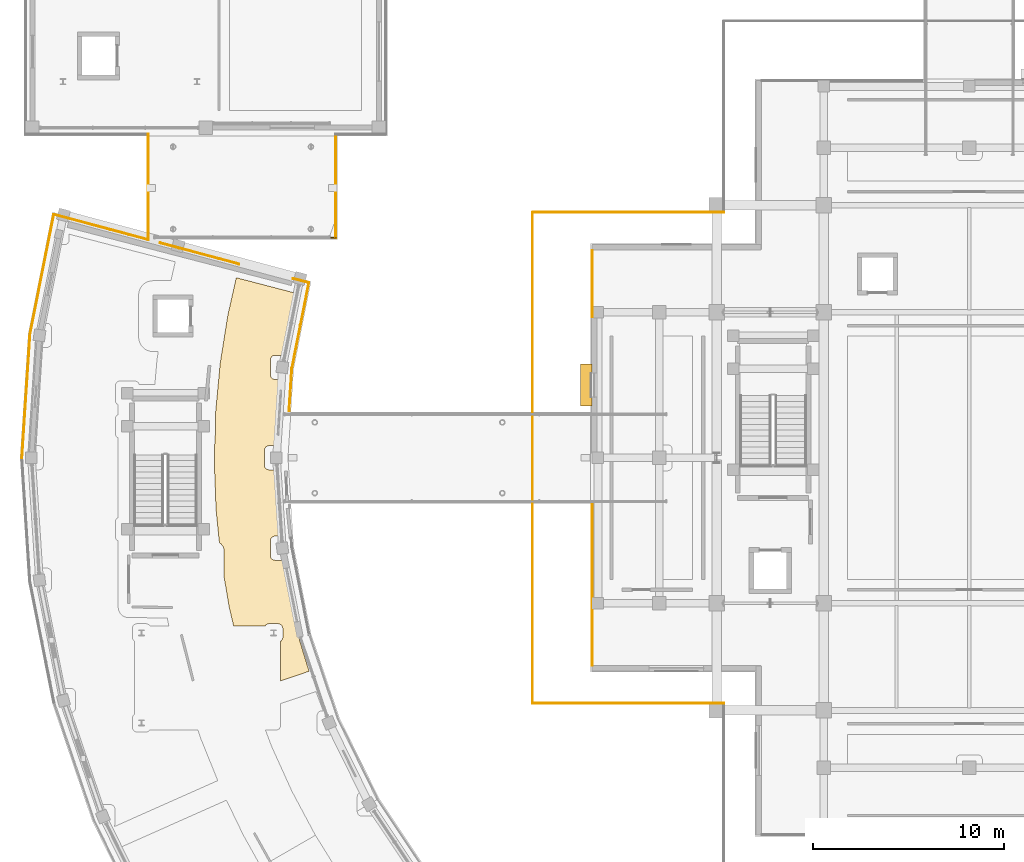
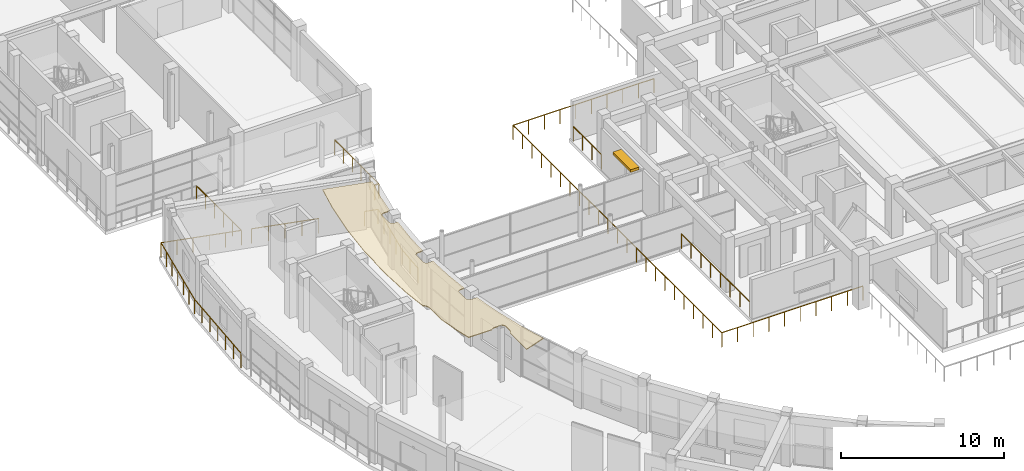
# One storey, part 61 of 72: 15 railings, 1 covering, 1 shading device.
"""IFC4 building model written with IfcOpenShell, lengths in metres."""

from ifc_helpers import new_model, si_unit, direction, frame, origin, origin_2d, place, context, subcontext, project, spatial, polyline, rectangle, outline, extrude, material, layer, layer_set, type_object, element, save


model = new_model("IFC4")

# Units and contexts
model_context = context("Model", 3, precision=1e-05, world=origin(), true_north=direction((0.0, 1.0)))
body_context = subcontext(model_context, "Body", "Model", "MODEL_VIEW")
ifc_project = project(units=[si_unit("LENGTHUNIT", "METRE"), si_unit("AREAUNIT", "SQUARE_METRE"), si_unit("VOLUMEUNIT", "CUBIC_METRE"), si_unit("PLANEANGLEUNIT", "RADIAN"), si_unit("MASSUNIT", "GRAM", prefix="KILO")], contexts=[model_context])

# Site, building, storey
site_placement = place(None, origin())
site = spatial("IfcSite", under=ifc_project, at=site_placement, CompositionType="ELEMENT")
building_placement = place(site_placement, origin())
building = spatial("IfcBuilding", under=site, at=building_placement, Name="Saryqyr Civic Hall", CompositionType="ELEMENT")
storey_placement = place(building_placement, frame((0.0, 0.0, 17.25)))
storey = spatial("IfcBuildingStorey", under=building, at=storey_placement, Name="L04", CompositionType="ELEMENT", Elevation=17.25)

# Railings
ifc_material_1 = material(Name="Stainless steel and laminated glass", Category="steel")
ifc_layer_1 = layer(ifc_material_1, 0.06005859375, Name="Stainless steel and laminated glass")
ifc_layer_set_1 = layer_set([ifc_layer_1], Name="Stainless steel and laminated glass")
railing_type_1 = type_object("IfcRailingType", Name="ENV-RLG-BAL-1100", PredefinedType="BALUSTRADE", material=ifc_layer_set_1)
railing_1_placement = place(storey_placement, frame((44.179931640625, 96.820068359375, 0.0)))
element("IfcRailing", 1, at=railing_1_placement, inside=storey, type_object=railing_type_1, Name="Perimeter safety balustrade V1-STEPG-L04-G09", PredefinedType="BALUSTRADE", context=body_context, shape_type="SweptSolid", body=[
    extrude(rectangle(XDim=0.048095703125, YDim=0.048095703125, at=origin_2d()), frame((0.0, 0.0, 1.076171875), z_axis=(-1.0, 0.0, 0.0), x_axis=(0.0, -1.0, 0.0)), (0.0, 0.0, 1.0), 10.0),
    extrude(rectangle(XDim=0.0419921875, YDim=0.0419921875, at=origin_2d()), origin(), (0.0, 0.0, 1.0), 1.052001953125),
    extrude(rectangle(XDim=0.0419921875, YDim=0.0419921875, at=origin_2d()), frame((-1.111083984375, 0.0, 0.0)), (0.0, 0.0, 1.0), 1.052001953125),
    extrude(rectangle(XDim=0.0419921875, YDim=0.0419921875, at=origin_2d()), frame((-2.22216796875, 0.0, 0.0)), (0.0, 0.0, 1.0), 1.052001953125),
    extrude(rectangle(XDim=0.0419921875, YDim=0.0419921875, at=origin_2d()), frame((-3.333251953125, 0.0, 0.0)), (0.0, 0.0, 1.0), 1.052001953125),
    extrude(rectangle(XDim=0.0419921875, YDim=0.0419921875, at=origin_2d()), frame((-4.4443359375, 0.0, 0.0)), (0.0, 0.0, 1.0), 1.052001953125),
    extrude(rectangle(XDim=0.0419921875, YDim=0.0419921875, at=origin_2d()), frame((-5.5556640625, 0.0, 0.0)), (0.0, 0.0, 1.0), 1.052001953125),
    extrude(rectangle(XDim=0.0419921875, YDim=0.0419921875, at=origin_2d()), frame((-6.666748046875, 0.0, 0.0)), (0.0, 0.0, 1.0), 1.052001953125),
    extrude(rectangle(XDim=0.0419921875, YDim=0.0419921875, at=origin_2d()), frame((-7.77783203125, 0.0, 0.0)), (0.0, 0.0, 1.0), 1.052001953125),
    extrude(rectangle(XDim=0.0419921875, YDim=0.0419921875, at=origin_2d()), frame((-8.888916015625, 0.0, 0.0)), (0.0, 0.0, 1.0), 1.052001953125),
    extrude(rectangle(XDim=0.0419921875, YDim=0.0419921875, at=origin_2d()), frame((-10.0, 0.0, 0.0)), (0.0, 0.0, 1.0), 1.052001953125),
])
railing_2_placement = place(storey_placement, frame((34.179931640625, 96.820068359375, 0.0)))
element("IfcRailing", 2, at=railing_2_placement, inside=storey, type_object=railing_type_1, Name="Perimeter safety balustrade V1-STEPG-L04-G10", PredefinedType="BALUSTRADE", context=body_context, shape_type="SweptSolid", body=[
    extrude(rectangle(XDim=0.048095703125, YDim=0.048095703125, at=origin_2d()), frame((0.0, 0.0, 1.076171875), z_axis=(0.0, -1.0, 0.0), x_axis=(1.0, 0.0, 0.0)), (0.0, 0.0, 1.0), 25.64013671875),
    extrude(rectangle(XDim=0.0419921875, YDim=0.0419921875, at=origin_2d()), origin(), (0.0, 0.0, 1.0), 1.052001953125),
    extrude(rectangle(XDim=0.0419921875, YDim=0.0419921875, at=origin_2d()), frame((0.0, -1.16552734375, 0.0)), (0.0, 0.0, 1.0), 1.052001953125),
    extrude(rectangle(XDim=0.0419921875, YDim=0.0419921875, at=origin_2d()), frame((0.0, -2.330810546875, 0.0)), (0.0, 0.0, 1.0), 1.052001953125),
    extrude(rectangle(XDim=0.0419921875, YDim=0.0419921875, at=origin_2d()), frame((0.0, -3.496337890625, 0.0)), (0.0, 0.0, 1.0), 1.052001953125),
    extrude(rectangle(XDim=0.0419921875, YDim=0.0419921875, at=origin_2d()), frame((0.0, -4.661865234375, 0.0)), (0.0, 0.0, 1.0), 1.052001953125),
    extrude(rectangle(XDim=0.0419921875, YDim=0.0419921875, at=origin_2d()), frame((0.0, -5.827392578125, 0.0)), (0.0, 0.0, 1.0), 1.052001953125),
    extrude(rectangle(XDim=0.0419921875, YDim=0.0419921875, at=origin_2d()), frame((0.0, -6.99267578125, 0.0)), (0.0, 0.0, 1.0), 1.052001953125),
    extrude(rectangle(XDim=0.0419921875, YDim=0.0419921875, at=origin_2d()), frame((0.0, -8.158203125, 0.0)), (0.0, 0.0, 1.0), 1.052001953125),
    extrude(rectangle(XDim=0.0419921875, YDim=0.0419921875, at=origin_2d()), frame((0.0, -9.32373046875, 0.0)), (0.0, 0.0, 1.0), 1.052001953125),
    extrude(rectangle(XDim=0.0419921875, YDim=0.0419921875, at=origin_2d()), frame((0.0, -10.4892578125, 0.0)), (0.0, 0.0, 1.0), 1.052001953125),
    extrude(rectangle(XDim=0.0419921875, YDim=0.0419921875, at=origin_2d()), frame((0.0, -11.654541015625, 0.0)), (0.0, 0.0, 1.0), 1.052001953125),
    extrude(rectangle(XDim=0.0419921875, YDim=0.0419921875, at=origin_2d()), frame((0.0, -12.820068359375, 0.0)), (0.0, 0.0, 1.0), 1.052001953125),
    extrude(rectangle(XDim=0.0419921875, YDim=0.0419921875, at=origin_2d()), frame((0.0, -13.985595703125, 0.0)), (0.0, 0.0, 1.0), 1.052001953125),
    extrude(rectangle(XDim=0.0419921875, YDim=0.0419921875, at=origin_2d()), frame((0.0, -15.15087890625, 0.0)), (0.0, 0.0, 1.0), 1.052001953125),
    extrude(rectangle(XDim=0.0419921875, YDim=0.0419921875, at=origin_2d()), frame((0.0, -16.31640625, 0.0)), (0.0, 0.0, 1.0), 1.052001953125),
    extrude(rectangle(XDim=0.0419921875, YDim=0.0419921875, at=origin_2d()), frame((0.0, -17.48193359375, 0.0)), (0.0, 0.0, 1.0), 1.052001953125),
    extrude(rectangle(XDim=0.0419921875, YDim=0.0419921875, at=origin_2d()), frame((0.0, -18.6474609375, 0.0)), (0.0, 0.0, 1.0), 1.052001953125),
    extrude(rectangle(XDim=0.0419921875, YDim=0.0419921875, at=origin_2d()), frame((0.0, -19.812744140625, 0.0)), (0.0, 0.0, 1.0), 1.052001953125),
    extrude(rectangle(XDim=0.0419921875, YDim=0.0419921875, at=origin_2d()), frame((0.0, -20.978271484375, 0.0)), (0.0, 0.0, 1.0), 1.052001953125),
    extrude(rectangle(XDim=0.0419921875, YDim=0.0419921875, at=origin_2d()), frame((0.0, -22.143798828125, 0.0)), (0.0, 0.0, 1.0), 1.052001953125),
    extrude(rectangle(XDim=0.0419921875, YDim=0.0419921875, at=origin_2d()), frame((0.0, -23.309326171875, 0.0)), (0.0, 0.0, 1.0), 1.052001953125),
    extrude(rectangle(XDim=0.0419921875, YDim=0.0419921875, at=origin_2d()), frame((0.0, -24.474609375, 0.0)), (0.0, 0.0, 1.0), 1.052001953125),
    extrude(rectangle(XDim=0.0419921875, YDim=0.0419921875, at=origin_2d()), frame((0.0, -25.64013671875, 0.0)), (0.0, 0.0, 1.0), 1.052001953125),
])
railing_3_placement = place(storey_placement, frame((34.179931640625, 71.179931640625, 0.0)))
element("IfcRailing", 3, at=railing_3_placement, inside=storey, type_object=railing_type_1, Name="Perimeter safety balustrade V1-STEPG-L04-G11", PredefinedType="BALUSTRADE", context=body_context, shape_type="SweptSolid", body=[
    extrude(rectangle(XDim=0.048095703125, YDim=0.048095703125, at=origin_2d()), frame((0.0, 0.0, 1.076171875), z_axis=(1.0, 0.0, 0.0), x_axis=(0.0, 1.0, 0.0)), (0.0, 0.0, 1.0), 10.0),
    extrude(rectangle(XDim=0.0419921875, YDim=0.0419921875, at=origin_2d()), origin(), (0.0, 0.0, 1.0), 1.052001953125),
    extrude(rectangle(XDim=0.0419921875, YDim=0.0419921875, at=origin_2d()), frame((1.111083984375, 0.0, 0.0)), (0.0, 0.0, 1.0), 1.052001953125),
    extrude(rectangle(XDim=0.0419921875, YDim=0.0419921875, at=origin_2d()), frame((2.22216796875, 0.0, 0.0)), (0.0, 0.0, 1.0), 1.052001953125),
    extrude(rectangle(XDim=0.0419921875, YDim=0.0419921875, at=origin_2d()), frame((3.333251953125, 0.0, 0.0)), (0.0, 0.0, 1.0), 1.052001953125),
    extrude(rectangle(XDim=0.0419921875, YDim=0.0419921875, at=origin_2d()), frame((4.4443359375, 0.0, 0.0)), (0.0, 0.0, 1.0), 1.052001953125),
    extrude(rectangle(XDim=0.0419921875, YDim=0.0419921875, at=origin_2d()), frame((5.5556640625, 0.0, 0.0)), (0.0, 0.0, 1.0), 1.052001953125),
    extrude(rectangle(XDim=0.0419921875, YDim=0.0419921875, at=origin_2d()), frame((6.666748046875, 0.0, 0.0)), (0.0, 0.0, 1.0), 1.052001953125),
    extrude(rectangle(XDim=0.0419921875, YDim=0.0419921875, at=origin_2d()), frame((7.77783203125, 0.0, 0.0)), (0.0, 0.0, 1.0), 1.052001953125),
    extrude(rectangle(XDim=0.0419921875, YDim=0.0419921875, at=origin_2d()), frame((8.888916015625, 0.0, 0.0)), (0.0, 0.0, 1.0), 1.052001953125),
    extrude(rectangle(XDim=0.0419921875, YDim=0.0419921875, at=origin_2d()), frame((10.0, 0.0, 0.0)), (0.0, 0.0, 1.0), 1.052001953125),
])

# Shading device
ifc_material_2 = material(Name="Warm brushed brass-anodised aluminium", Category="aluminium")
shading_device_type = type_object("IfcShadingDeviceType", Name="ENV-SHD-LOUVRE", PredefinedType="JALOUSIE", material=ifc_material_2)
shading_device_placement = place(storey_placement, frame((36.97509765625, 87.800048828125, 2.80517578125), z_axis=(0.0, 0.0, 1.0), x_axis=(0.0, 1.0, 0.0)))
element("IfcShadingDevice", 4, at=shading_device_placement, inside=storey, type_object=shading_device_type, Name="Warm brass exterior louvre hood L04-02", PredefinedType="JALOUSIE", context=body_context, shape_type="SweptSolid", body=[
    extrude(rectangle(XDim=2.199951171875, YDim=0.60009765625, at=origin_2d()), origin(), (0.0, 0.0, 1.0), 0.199951171875),
])

# Covering
ifc_material_3 = material(Name="Mineral-fibre acoustic ceiling tile", Category="acoustic_tile")
ifc_layer_2 = layer(ifc_material_3, 0.06005859375, Name="Mineral-fibre acoustic ceiling tile")
ifc_layer_set_2 = layer_set([ifc_layer_2], Name="Mineral-fibre acoustic ceiling tile")
covering_type = type_object("IfcCoveringType", Name="INT-COV-CEIL-60", PredefinedType="CEILING", material=ifc_layer_set_2)
covering_placement = place(storey_placement, frame((0.0, 0.0, 3.699951171875)))
element("IfcCovering", 5, at=covering_placement, inside=storey, type_object=covering_type, Name="Acoustic ceiling Occupational Health & Welfare Clinic", PredefinedType="CEILING", context=body_context, shape_type="SweptSolid", body=[
    extrude(outline(polyline([(17.587646484375, 85.1474609375), (17.590576171875, 85.152099609375), (17.60107421875, 85.17431640625), (17.609130859375, 85.197509765625), (17.615234375, 85.22119140625), (17.618896484375, 85.24560546875), (17.6201171875, 85.27001953125), (17.6201171875, 86.030029296875), (17.618896484375, 86.054443359375), (17.615234375, 86.078857421875), (17.614013671875, 86.08349609375), (17.62255859375, 86.3876953125), (17.859619140625, 88.9306640625), (18.2607421875, 91.452880859375), (18.70263671875, 93.407470703125), (21.779541015625, 92.60595703125), (21.38671875, 90.86962890625), (21.380126953125, 90.834716796875), (21.144775390625, 89.35498046875), (20.729736328125, 89.35498046875), (20.705078125, 89.353759765625), (20.680908203125, 89.35009765625), (20.656982421875, 89.34423828125), (20.634033203125, 89.3359375), (20.61181640625, 89.325439453125), (20.5908203125, 89.31298828125), (20.571044921875, 89.29833984375), (20.552978515625, 89.28173828125), (20.536376953125, 89.263671875), (20.521728515625, 89.243896484375), (20.50927734375, 89.222900390625), (20.498779296875, 89.20068359375), (20.490478515625, 89.177490234375), (20.484619140625, 89.15380859375), (20.48095703125, 89.12939453125), (20.479736328125, 89.10498046875), (20.479736328125, 88.344970703125), (20.48095703125, 88.320556640625), (20.484619140625, 88.296142578125), (20.490478515625, 88.2724609375), (20.498779296875, 88.249267578125), (20.50927734375, 88.227294921875), (20.521728515625, 88.2060546875), (20.536376953125, 88.186279296875), (20.552978515625, 88.168212890625), (20.571044921875, 88.151611328125), (20.5908203125, 88.13720703125), (20.61181640625, 88.12451171875), (20.634033203125, 88.114013671875), (20.656982421875, 88.105712890625), (20.680908203125, 88.099853515625), (20.705078125, 88.09619140625), (20.729736328125, 88.094970703125), (20.973388671875, 88.094970703125), (20.7978515625, 86.212890625), (20.795654296875, 86.177490234375), (20.752197265625, 84.6298828125), (20.419921875, 84.6298828125), (20.3955078125, 84.62890625), (20.37109375, 84.625244140625), (20.347412109375, 84.619140625), (20.32421875, 84.611083984375), (20.30224609375, 84.6005859375), (20.281005859375, 84.587890625), (20.261474609375, 84.5732421875), (20.2431640625, 84.556884765625), (20.226806640625, 84.53857421875), (20.212158203125, 84.518798828125), (20.199462890625, 84.497802734375), (20.18896484375, 84.4755859375), (20.180908203125, 84.45263671875), (20.1748046875, 84.4287109375), (20.171142578125, 84.404541015625), (20.169921875, 84.3798828125), (20.169921875, 83.6201171875), (20.171142578125, 83.595458984375), (20.1748046875, 83.5712890625), (20.180908203125, 83.54736328125), (20.18896484375, 83.5244140625), (20.199462890625, 83.502197265625), (20.212158203125, 83.481201171875), (20.226806640625, 83.46142578125), (20.2431640625, 83.443115234375), (20.261474609375, 83.4267578125), (20.281005859375, 83.412109375), (20.30224609375, 83.3994140625), (20.32421875, 83.388916015625), (20.347412109375, 83.380859375), (20.37109375, 83.374755859375), (20.3955078125, 83.37109375), (20.419921875, 83.3701171875), (20.74755859375, 83.3701171875), (20.815185546875, 81.519287109375), (20.817626953125, 81.48388671875), (20.978271484375, 79.905029296875), (20.729736328125, 79.905029296875), (20.705078125, 79.90380859375), (20.680908203125, 79.900146484375), (20.656982421875, 79.894287109375), (20.634033203125, 79.885986328125), (20.61181640625, 79.87548828125), (20.5908203125, 79.86279296875), (20.571044921875, 79.848388671875), (20.552978515625, 79.831787109375), (20.536376953125, 79.813720703125), (20.521728515625, 79.7939453125), (20.50927734375, 79.772705078125), (20.498779296875, 79.750732421875), (20.490478515625, 79.7275390625), (20.484619140625, 79.703857421875), (20.48095703125, 79.679443359375), (20.479736328125, 79.655029296875), (20.479736328125, 78.89501953125), (20.48095703125, 78.87060546875), (20.484619140625, 78.84619140625), (20.490478515625, 78.822509765625), (20.498779296875, 78.79931640625), (20.50927734375, 78.777099609375), (20.521728515625, 78.756103515625), (20.536376953125, 78.736328125), (20.552978515625, 78.71826171875), (20.571044921875, 78.70166015625), (20.5908203125, 78.68701171875), (20.61181640625, 78.674560546875), (20.634033203125, 78.6640625), (20.656982421875, 78.65576171875), (20.680908203125, 78.64990234375), (20.705078125, 78.646240234375), (20.729736328125, 78.64501953125), (21.140380859375, 78.64501953125), (21.438720703125, 76.8671875), (21.445556640625, 76.832275390625), (21.974609375, 74.5810546875), (21.98388671875, 74.546630859375), (22.50244140625, 72.84375), (21.00732421875, 72.335205078125), (21.01025390625, 74.406982421875), (21.018798828125, 74.412109375), (21.03857421875, 74.4267578125), (21.056884765625, 74.443115234375), (21.0732421875, 74.46142578125), (21.087890625, 74.481201171875), (21.1005859375, 74.502197265625), (21.111083984375, 74.5244140625), (21.119140625, 74.54736328125), (21.125244140625, 74.5712890625), (21.12890625, 74.595458984375), (21.1298828125, 74.6201171875), (21.1298828125, 75.080078125), (21.12890625, 75.1044921875), (21.125244140625, 75.12890625), (21.119140625, 75.152587890625), (21.111083984375, 75.17578125), (21.1005859375, 75.19775390625), (21.087890625, 75.218994140625), (21.0732421875, 75.238525390625), (21.056884765625, 75.2568359375), (21.03857421875, 75.273193359375), (21.018798828125, 75.287841796875), (20.997802734375, 75.300537109375), (20.9755859375, 75.31103515625), (20.95263671875, 75.319091796875), (20.9287109375, 75.3251953125), (20.904541015625, 75.328857421875), (20.8798828125, 75.330078125), (20.419921875, 75.330078125), (20.3955078125, 75.328857421875), (20.37109375, 75.3251953125), (20.347412109375, 75.319091796875), (20.32421875, 75.31103515625), (20.30224609375, 75.300537109375), (20.281005859375, 75.287841796875), (20.261474609375, 75.273193359375), (20.2431640625, 75.2568359375), (20.226806640625, 75.238525390625), (20.212158203125, 75.218994140625), (20.21044921875, 75.216064453125), (18.561279296875, 75.21484375), (18.324462890625, 76.22265625), (18.070068359375, 77.740966796875), (18.06982421875, 79.10205078125), (18.067138671875, 79.15625), (18.05908203125, 79.210205078125), (18.0458984375, 79.262939453125), (18.02734375, 79.314208984375), (18.00390625, 79.36328125), (17.9755859375, 79.40966796875), (17.943115234375, 79.453369140625), (17.90625, 79.493408203125), (17.86572265625, 79.529541015625), (17.82177734375, 79.561767578125), (17.818603515625, 79.5634765625), (17.64404296875, 81.282470703125), (17.55078125, 83.834716796875), (17.587646484375, 85.1474609375)])), origin(), (0.0, 0.0, 1.0), 0.06005859375),
])

# Railings
ifc_material_4 = material(Name="Warm brushed brass and laminated glass", Category="glass")
ifc_layer_3 = layer(ifc_material_4, 0.06005859375, Name="Warm brushed brass and laminated glass")
ifc_layer_set_3 = layer_set([ifc_layer_3], Name="Warm brushed brass and laminated glass")
railing_type_2 = type_object("IfcRailingType", Name="INT-RLG-BAL-1100", PredefinedType="BALUSTRADE", material=ifc_layer_set_3)
railing_4_placement = place(storey_placement, frame((7.500244140625, 84.0, 0.0)))
element("IfcRailing", 6, at=railing_4_placement, inside=storey, type_object=railing_type_2, Name="Interior deck safety balustrade L04-011", PredefinedType="BALUSTRADE", context=body_context, shape_type="SweptSolid", body=[
    extrude(rectangle(XDim=0.048095703125, YDim=0.048095703125, at=origin_2d()), frame((0.0, 0.0, 1.09619140625), z_axis=(0.0653827723, 0.997860257294, 0.0), x_axis=(-0.997860257294, 0.0653827723, 0.0)), (0.0, 0.0, 1.0), 6.474853515625),
    extrude(rectangle(XDim=0.0419921875, YDim=0.0419921875, at=origin_2d()), origin(), (0.0, 0.0, 1.0), 1.072021484375),
    extrude(rectangle(XDim=0.0419921875, YDim=0.0419921875, at=origin_2d()), frame((0.070556640625, 1.076904296875, 0.0)), (0.0, 0.0, 1.0), 1.072021484375),
    extrude(rectangle(XDim=0.0419921875, YDim=0.0419921875, at=origin_2d()), frame((0.14111328125, 2.153564453125, 0.0)), (0.0, 0.0, 1.0), 1.072021484375),
    extrude(rectangle(XDim=0.0419921875, YDim=0.0419921875, at=origin_2d()), frame((0.211669921875, 3.23046875, 0.0)), (0.0, 0.0, 1.0), 1.072021484375),
    extrude(rectangle(XDim=0.0419921875, YDim=0.0419921875, at=origin_2d()), frame((0.2822265625, 4.307373046875, 0.0)), (0.0, 0.0, 1.0), 1.072021484375),
    extrude(rectangle(XDim=0.0419921875, YDim=0.0419921875, at=origin_2d()), frame((0.352783203125, 5.384033203125, 0.0)), (0.0, 0.0, 1.0), 1.072021484375),
    extrude(rectangle(XDim=0.0419921875, YDim=0.0419921875, at=origin_2d()), frame((0.42333984375, 6.4609375, 0.0)), (0.0, 0.0, 1.0), 1.072021484375),
])
railing_5_placement = place(storey_placement, frame((7.923583984375, 90.4609375, 0.0)))
element("IfcRailing", 7, at=railing_5_placement, inside=storey, type_object=railing_type_2, Name="Interior deck safety balustrade L04-012", PredefinedType="BALUSTRADE", context=body_context, shape_type="SweptSolid", body=[
    extrude(rectangle(XDim=0.048095703125, YDim=0.048095703125, at=origin_2d()), frame((0.0, 0.0, 1.09619140625), z_axis=(0.195092281348, 0.980784890666, 0.0), x_axis=(-0.980784890666, 0.195092281348, 0.0)), (0.0, 0.0, 1.0), 6.374755859375),
    extrude(rectangle(XDim=0.0419921875, YDim=0.0419921875, at=origin_2d()), origin(), (0.0, 0.0, 1.0), 1.072021484375),
    extrude(rectangle(XDim=0.0419921875, YDim=0.0419921875, at=origin_2d()), frame((0.207275390625, 1.0419921875, 0.0)), (0.0, 0.0, 1.0), 1.072021484375),
    extrude(rectangle(XDim=0.0419921875, YDim=0.0419921875, at=origin_2d()), frame((0.41455078125, 2.083984375, 0.0)), (0.0, 0.0, 1.0), 1.072021484375),
    extrude(rectangle(XDim=0.0419921875, YDim=0.0419921875, at=origin_2d()), frame((0.621826171875, 3.1259765625, 0.0)), (0.0, 0.0, 1.0), 1.072021484375),
    extrude(rectangle(XDim=0.0419921875, YDim=0.0419921875, at=origin_2d()), frame((0.8291015625, 4.168212890625, 0.0)), (0.0, 0.0, 1.0), 1.072021484375),
    extrude(rectangle(XDim=0.0419921875, YDim=0.0419921875, at=origin_2d()), frame((1.036376953125, 5.210205078125, 0.0)), (0.0, 0.0, 1.0), 1.072021484375),
    extrude(rectangle(XDim=0.0419921875, YDim=0.0419921875, at=origin_2d()), frame((1.24365234375, 6.252197265625, 0.0)), (0.0, 0.0, 1.0), 1.072021484375),
])
railing_6_placement = place(storey_placement, frame((9.167236328125, 96.713134765625, 0.0)))
element("IfcRailing", 8, at=railing_6_placement, inside=storey, type_object=railing_type_2, Name="Interior deck safety balustrade L04-013", PredefinedType="BALUSTRADE", context=body_context, shape_type="SweptSolid", body=[
    extrude(rectangle(XDim=0.048095703125, YDim=0.048095703125, at=origin_2d()), frame((0.0, 0.0, 1.09619140625), z_axis=(0.965936742512, -0.258778301768, 0.0), x_axis=(0.258778301768, 0.965936742512, 0.0)), (0.0, 0.0, 1.0), 5.10693359375),
    extrude(rectangle(XDim=0.0419921875, YDim=0.0419921875, at=origin_2d()), origin(), (0.0, 0.0, 1.0), 1.072021484375),
    extrude(rectangle(XDim=0.0419921875, YDim=0.0419921875, at=origin_2d()), frame((0.986572265625, -0.264404296875, 0.0)), (0.0, 0.0, 1.0), 1.072021484375),
    extrude(rectangle(XDim=0.0419921875, YDim=0.0419921875, at=origin_2d()), frame((1.97314453125, -0.528564453125, 0.0)), (0.0, 0.0, 1.0), 1.072021484375),
    extrude(rectangle(XDim=0.0419921875, YDim=0.0419921875, at=origin_2d()), frame((2.959716796875, -0.79296875, 0.0)), (0.0, 0.0, 1.0), 1.072021484375),
    extrude(rectangle(XDim=0.0419921875, YDim=0.0419921875, at=origin_2d()), frame((3.9462890625, -1.05712890625, 0.0)), (0.0, 0.0, 1.0), 1.072021484375),
    extrude(rectangle(XDim=0.0419921875, YDim=0.0419921875, at=origin_2d()), frame((4.932861328125, -1.321533203125, 0.0)), (0.0, 0.0, 1.0), 1.072021484375),
])
railing_7_placement = place(storey_placement, frame((14.10009765625, 95.3916015625, 0.0)))
element("IfcRailing", 9, at=railing_7_placement, inside=storey, type_object=railing_type_2, Name="Interior deck safety balustrade L04-014", PredefinedType="BALUSTRADE", context=body_context, shape_type="SweptSolid", body=[
    extrude(rectangle(XDim=0.048095703125, YDim=0.048095703125, at=origin_2d()), frame((0.0, 0.0, 1.09619140625), z_axis=(0.0, 1.0, 0.0), x_axis=(-1.0, 0.0, 0.0)), (0.0, 0.0, 1.0), 5.50830078125),
    extrude(rectangle(XDim=0.0419921875, YDim=0.0419921875, at=origin_2d()), origin(), (0.0, 0.0, 1.0), 1.072021484375),
    extrude(rectangle(XDim=0.0419921875, YDim=0.0419921875, at=origin_2d()), frame((0.0, 1.1015625, 0.0)), (0.0, 0.0, 1.0), 1.072021484375),
    extrude(rectangle(XDim=0.0419921875, YDim=0.0419921875, at=origin_2d()), frame((0.0, 2.203369140625, 0.0)), (0.0, 0.0, 1.0), 1.072021484375),
    extrude(rectangle(XDim=0.0419921875, YDim=0.0419921875, at=origin_2d()), frame((0.0, 3.304931640625, 0.0)), (0.0, 0.0, 1.0), 1.072021484375),
    extrude(rectangle(XDim=0.0419921875, YDim=0.0419921875, at=origin_2d()), frame((0.0, 4.40673828125, 0.0)), (0.0, 0.0, 1.0), 1.072021484375),
    extrude(rectangle(XDim=0.0419921875, YDim=0.0419921875, at=origin_2d()), frame((0.0, 5.50830078125, 0.0)), (0.0, 0.0, 1.0), 1.072021484375),
])
railing_8_placement = place(storey_placement, frame((23.89990234375, 100.89990234375, 0.0)))
element("IfcRailing", 10, at=railing_8_placement, inside=storey, type_object=railing_type_2, Name="Interior deck safety balustrade L04-020", PredefinedType="BALUSTRADE", context=body_context, shape_type="SweptSolid", body=[
    extrude(rectangle(XDim=0.048095703125, YDim=0.048095703125, at=origin_2d()), frame((0.0, 0.0, 1.09619140625), z_axis=(0.0, -1.0, 0.0), x_axis=(1.0, 0.0, 0.0)), (0.0, 0.0, 1.0), 5.39990234375),
    extrude(rectangle(XDim=0.0419921875, YDim=0.0419921875, at=origin_2d()), origin(), (0.0, 0.0, 1.0), 1.072021484375),
    extrude(rectangle(XDim=0.0419921875, YDim=0.0419921875, at=origin_2d()), frame((0.0, -1.080078125, 0.0)), (0.0, 0.0, 1.0), 1.072021484375),
    extrude(rectangle(XDim=0.0419921875, YDim=0.0419921875, at=origin_2d()), frame((0.0, -2.159912109375, 0.0)), (0.0, 0.0, 1.0), 1.072021484375),
    extrude(rectangle(XDim=0.0419921875, YDim=0.0419921875, at=origin_2d()), frame((0.0, -3.239990234375, 0.0)), (0.0, 0.0, 1.0), 1.072021484375),
    extrude(rectangle(XDim=0.0419921875, YDim=0.0419921875, at=origin_2d()), frame((0.0, -4.31982421875, 0.0)), (0.0, 0.0, 1.0), 1.072021484375),
    extrude(rectangle(XDim=0.0419921875, YDim=0.0419921875, at=origin_2d()), frame((0.0, -5.39990234375, 0.0)), (0.0, 0.0, 1.0), 1.072021484375),
])
railing_9_placement = place(storey_placement, frame((23.89990234375, 95.5, 0.0)))
element("IfcRailing", 11, at=railing_9_placement, inside=storey, type_object=railing_type_2, Name="Interior deck safety balustrade L04-021", PredefinedType="BALUSTRADE", context=body_context, shape_type="SweptSolid", body=[
    extrude(rectangle(XDim=0.048095703125, YDim=0.048095703125, at=origin_2d()), frame((0.0, 0.0, 1.09619140625), z_axis=(-1.0, 0.0, 0.0), x_axis=(0.0, -1.0, 0.0)), (0.0, 0.0, 1.0), 0.2998046875),
    extrude(rectangle(XDim=0.0419921875, YDim=0.0419921875, at=origin_2d()), origin(), (0.0, 0.0, 1.0), 1.072021484375),
    extrude(rectangle(XDim=0.0419921875, YDim=0.0419921875, at=origin_2d()), frame((-0.2998046875, 0.0, 0.0)), (0.0, 0.0, 1.0), 1.072021484375),
])
railing_10_placement = place(storey_placement, frame((14.719970703125, 95.225341796875, 0.0)))
element("IfcRailing", 12, at=railing_10_placement, inside=storey, type_object=railing_type_2, Name="Interior deck safety balustrade L04-022", PredefinedType="BALUSTRADE", context=body_context, shape_type="SweptSolid", body=[
    extrude(rectangle(XDim=0.048095703125, YDim=0.048095703125, at=origin_2d()), frame((0.0, 0.0, 1.09619140625), z_axis=(0.965931728096, -0.258797018253, 0.0), x_axis=(0.258797018253, 0.965931728096, 0.0)), (0.0, 0.0, 1.0), 4.2724609375),
    extrude(rectangle(XDim=0.0419921875, YDim=0.0419921875, at=origin_2d()), origin(), (0.0, 0.0, 1.0), 1.072021484375),
    extrude(rectangle(XDim=0.0419921875, YDim=0.0419921875, at=origin_2d()), frame((1.03173828125, -0.2763671875, 0.0)), (0.0, 0.0, 1.0), 1.072021484375),
    extrude(rectangle(XDim=0.0419921875, YDim=0.0419921875, at=origin_2d()), frame((2.0634765625, -0.552734375, 0.0)), (0.0, 0.0, 1.0), 1.072021484375),
    extrude(rectangle(XDim=0.0419921875, YDim=0.0419921875, at=origin_2d()), frame((3.09521484375, -0.829345703125, 0.0)), (0.0, 0.0, 1.0), 1.072021484375),
    extrude(rectangle(XDim=0.0419921875, YDim=0.0419921875, at=origin_2d()), frame((4.126953125, -1.105712890625, 0.0)), (0.0, 0.0, 1.0), 1.072021484375),
])
railing_11_placement = place(storey_placement, frame((21.669189453125, 93.36328125, 0.0)))
element("IfcRailing", 13, at=railing_11_placement, inside=storey, type_object=railing_type_2, Name="Interior deck safety balustrade L04-023", PredefinedType="BALUSTRADE", context=body_context, shape_type="SweptSolid", body=[
    extrude(rectangle(XDim=0.048095703125, YDim=0.048095703125, at=origin_2d()), frame((0.0, 0.0, 1.09619140625), z_axis=(0.965931513134, -0.258797820574, 0.0), x_axis=(0.258797820574, 0.965931513134, 0.0)), (0.0, 0.0, 1.0), 0.856689453125),
    extrude(rectangle(XDim=0.0419921875, YDim=0.0419921875, at=origin_2d()), origin(), (0.0, 0.0, 1.0), 1.072021484375),
    extrude(rectangle(XDim=0.0419921875, YDim=0.0419921875, at=origin_2d()), frame((0.827392578125, -0.2216796875, 0.0)), (0.0, 0.0, 1.0), 1.072021484375),
])
railing_12_placement = place(storey_placement, frame((22.49658203125, 93.1416015625, 0.0)))
element("IfcRailing", 14, at=railing_12_placement, inside=storey, type_object=railing_type_2, Name="Interior deck safety balustrade L04-024", PredefinedType="BALUSTRADE", context=body_context, shape_type="SweptSolid", body=[
    extrude(rectangle(XDim=0.048095703125, YDim=0.048095703125, at=origin_2d()), frame((0.0, 0.0, 1.09619140625), z_axis=(-0.195067999617, -0.98078972034, 0.0), x_axis=(0.98078972034, -0.195067999617, 0.0)), (0.0, 0.0, 1.0), 4.569580078125),
    extrude(rectangle(XDim=0.0419921875, YDim=0.0419921875, at=origin_2d()), origin(), (0.0, 0.0, 1.0), 1.072021484375),
    extrude(rectangle(XDim=0.0419921875, YDim=0.0419921875, at=origin_2d()), frame((-0.222900390625, -1.120361328125, 0.0)), (0.0, 0.0, 1.0), 1.072021484375),
    extrude(rectangle(XDim=0.0419921875, YDim=0.0419921875, at=origin_2d()), frame((-0.44580078125, -2.24072265625, 0.0)), (0.0, 0.0, 1.0), 1.072021484375),
    extrude(rectangle(XDim=0.0419921875, YDim=0.0419921875, at=origin_2d()), frame((-0.66845703125, -3.361328125, 0.0)), (0.0, 0.0, 1.0), 1.072021484375),
    extrude(rectangle(XDim=0.0419921875, YDim=0.0419921875, at=origin_2d()), frame((-0.891357421875, -4.481689453125, 0.0)), (0.0, 0.0, 1.0), 1.072021484375),
])
railing_13_placement = place(storey_placement, frame((21.605224609375, 88.659912109375, 0.0)))
element("IfcRailing", 15, at=railing_13_placement, inside=storey, type_object=railing_type_2, Name="Interior deck safety balustrade L04-025", PredefinedType="BALUSTRADE", context=body_context, shape_type="SweptSolid", body=[
    extrude(rectangle(XDim=0.048095703125, YDim=0.048095703125, at=origin_2d()), frame((0.0, 0.0, 1.09619140625), z_axis=(-0.065404581712, -0.997858828037, 0.0), x_axis=(0.997858828037, -0.065404581712, 0.0)), (0.0, 0.0, 1.0), 2.224853515625),
    extrude(rectangle(XDim=0.0419921875, YDim=0.0419921875, at=origin_2d()), origin(), (0.0, 0.0, 1.0), 1.072021484375),
    extrude(rectangle(XDim=0.0419921875, YDim=0.0419921875, at=origin_2d()), frame((-0.07275390625, -1.10986328125, 0.0)), (0.0, 0.0, 1.0), 1.072021484375),
    extrude(rectangle(XDim=0.0419921875, YDim=0.0419921875, at=origin_2d()), frame((-0.1455078125, -2.219970703125, 0.0)), (0.0, 0.0, 1.0), 1.072021484375),
])
railing_14_placement = place(storey_placement, frame((37.300048828125, 91.364990234375, 0.0)))
element("IfcRailing", 16, at=railing_14_placement, inside=storey, type_object=railing_type_2, Name="Interior deck safety balustrade L04-026", PredefinedType="BALUSTRADE", context=body_context, shape_type="SweptSolid", body=[
    extrude(rectangle(XDim=0.048095703125, YDim=0.048095703125, at=origin_2d()), frame((0.0, 0.0, 1.09619140625), z_axis=(0.0, 1.0, 0.0), x_axis=(-1.0, 0.0, 0.0)), (0.0, 0.0, 1.0), 3.469970703125),
    extrude(rectangle(XDim=0.0419921875, YDim=0.0419921875, at=origin_2d()), origin(), (0.0, 0.0, 1.0), 1.072021484375),
    extrude(rectangle(XDim=0.0419921875, YDim=0.0419921875, at=origin_2d()), frame((0.0, 1.15673828125, 0.0)), (0.0, 0.0, 1.0), 1.072021484375),
    extrude(rectangle(XDim=0.0419921875, YDim=0.0419921875, at=origin_2d()), frame((0.0, 2.313232421875, 0.0)), (0.0, 0.0, 1.0), 1.072021484375),
    extrude(rectangle(XDim=0.0419921875, YDim=0.0419921875, at=origin_2d()), frame((0.0, 3.469970703125, 0.0)), (0.0, 0.0, 1.0), 1.072021484375),
])
railing_15_placement = place(storey_placement, frame((37.300048828125, 73.1650390625, 0.0)))
element("IfcRailing", 17, at=railing_15_placement, inside=storey, type_object=railing_type_2, Name="Interior deck safety balustrade L04-085", PredefinedType="BALUSTRADE", context=body_context, shape_type="SweptSolid", body=[
    extrude(rectangle(XDim=0.048095703125, YDim=0.048095703125, at=origin_2d()), frame((0.0, 0.0, 1.09619140625), z_axis=(0.0, 1.0, 0.0), x_axis=(-1.0, 0.0, 0.0)), (0.0, 0.0, 1.0), 8.39501953125),
    extrude(rectangle(XDim=0.0419921875, YDim=0.0419921875, at=origin_2d()), origin(), (0.0, 0.0, 1.0), 1.072021484375),
    extrude(rectangle(XDim=0.0419921875, YDim=0.0419921875, at=origin_2d()), frame((0.0, 1.19921875, 0.0)), (0.0, 0.0, 1.0), 1.072021484375),
    extrude(rectangle(XDim=0.0419921875, YDim=0.0419921875, at=origin_2d()), frame((0.0, 2.398681640625, 0.0)), (0.0, 0.0, 1.0), 1.072021484375),
    extrude(rectangle(XDim=0.0419921875, YDim=0.0419921875, at=origin_2d()), frame((0.0, 3.597900390625, 0.0)), (0.0, 0.0, 1.0), 1.072021484375),
    extrude(rectangle(XDim=0.0419921875, YDim=0.0419921875, at=origin_2d()), frame((0.0, 4.797119140625, 0.0)), (0.0, 0.0, 1.0), 1.072021484375),
    extrude(rectangle(XDim=0.0419921875, YDim=0.0419921875, at=origin_2d()), frame((0.0, 5.996337890625, 0.0)), (0.0, 0.0, 1.0), 1.072021484375),
    extrude(rectangle(XDim=0.0419921875, YDim=0.0419921875, at=origin_2d()), frame((0.0, 7.19580078125, 0.0)), (0.0, 0.0, 1.0), 1.072021484375),
    extrude(rectangle(XDim=0.0419921875, YDim=0.0419921875, at=origin_2d()), frame((0.0, 8.39501953125, 0.0)), (0.0, 0.0, 1.0), 1.072021484375),
])

save(model, "model.ifc")
